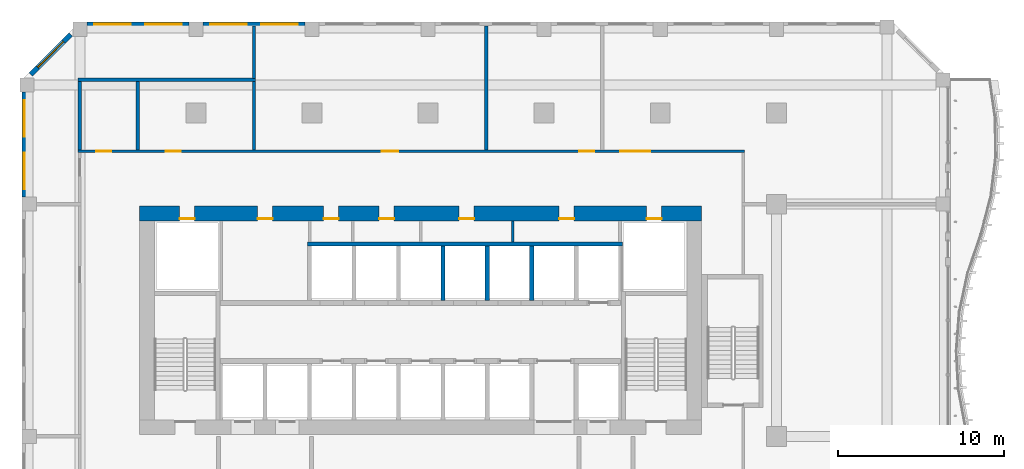
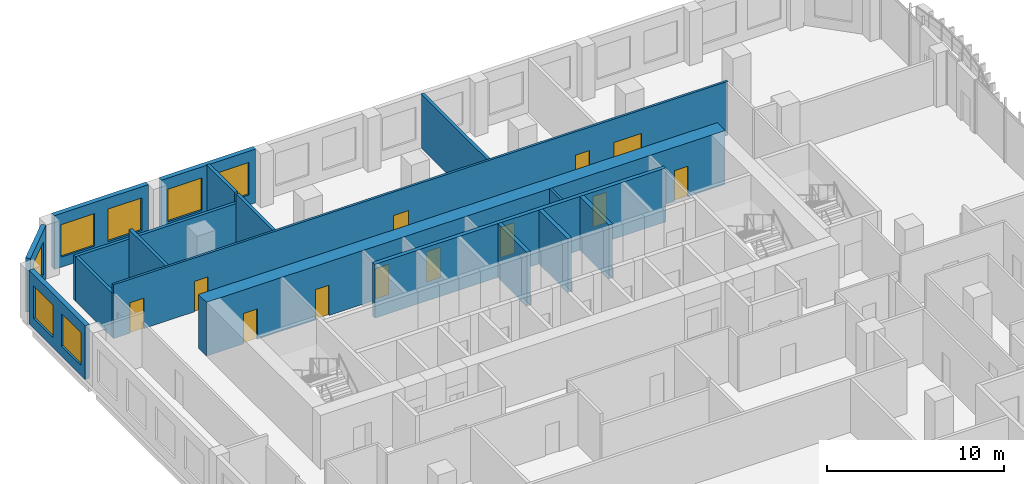
# One storey, part 16 of 27: 17 walls, 12 doors, 7 windows, 19 openings.
"""IFC4 building model written with IfcOpenShell, lengths in metres."""

from ifc_helpers import new_model, si_unit, direction, frame, frame_2d, origin, place, context, subcontext, project, spatial, rectangle, extrude, source, transform, mapped, material, layer, layer_set, type_object, element, fill, save


model = new_model("IFC4")

# Units and contexts
model_context = context("Model", 3, precision=1e-05, world=origin(), true_north=direction((0.0, 1.0)))
body_context = subcontext(model_context, "Body", "Model", "MODEL_VIEW")
ifc_project = project(units=[si_unit("LENGTHUNIT", "METRE"), si_unit("AREAUNIT", "SQUARE_METRE"), si_unit("VOLUMEUNIT", "CUBIC_METRE"), si_unit("PLANEANGLEUNIT", "RADIAN"), si_unit("MASSUNIT", "GRAM", prefix="KILO")], contexts=[model_context])

# Site, building, storey
site_placement = place(None, origin())
site = spatial("IfcSite", under=ifc_project, at=site_placement, CompositionType="ELEMENT")
building_placement = place(site_placement, origin())
building = spatial("IfcBuilding", under=site, at=building_placement, Name="Kilnfold Tower and Market Hall", CompositionType="ELEMENT")
storey_placement = place(building_placement, frame((0.0, 0.0, 116.60009765625)))
storey = spatial("IfcBuildingStorey", under=building, at=storey_placement, Name="L27", CompositionType="ELEMENT", Elevation=116.60009765625)

# Wall, openings, doors
ifc_material_1 = material(Name="Gypsum board on steel studs", Category="steel")
ifc_layer_1 = layer(ifc_material_1, 0.14990234375)
ifc_layer_set_1 = layer_set([ifc_layer_1], Name="Gypsum board on steel studs")
wall_type_1 = type_object("IfcWallType", Name="WALL CORRIDOR 150", PredefinedType="PARTITIONING", material=ifc_layer_set_1)
wall_1_placement = place(storey_placement, frame((-19.60009765625, 25.199951171875, 0.0), z_axis=(0.0, 0.0, 1.0), x_axis=(1.0, 0.0, 0.0)))
wall_1 = element("IfcWall", 1, at=wall_1_placement, inside=storey, type_object=wall_type_1, Name="Partition LY17.35", PredefinedType="PARTITIONING", context=body_context, shape_type="SweptSolid", body=[
    extrude(rectangle(XDim=40.175048828125, YDim=0.14990234375, at=frame_2d((20.08740234375, 0.0))), origin(), (0.0, 0.0, 1.0), 3.719970703125),
])
opening_1_placement = place(wall_1_placement, frame((1.10400390625, 0.0, 0.0)))
opening_1 = element("IfcOpeningElement", 2, at=opening_1_placement, cuts=wall_1, Name="Opening D2", PredefinedType="OPENING", context=body_context, shape_type="SweptSolid", body=[
    extrude(rectangle(XDim=0.89990234375, YDim=2.10009765625, at=frame_2d((0.449951171875, 1.050048828125))), frame((0.0, 0.0849609375, 0.0), z_axis=(0.0, -1.0, 0.0), x_axis=(1.0, 0.0, 0.0)), (0.0, 0.0, 1.0), 0.169921875),
])
opening_2_placement = place(wall_1_placement, frame((5.2958984375, 0.0, 0.0)))
opening_2 = element("IfcOpeningElement", 3, at=opening_2_placement, cuts=wall_1, Name="Opening D3", PredefinedType="OPENING", context=body_context, shape_type="SweptSolid", body=[
    extrude(rectangle(XDim=0.89990234375, YDim=2.10009765625, at=frame_2d((0.449951171875, 1.050048828125))), frame((0.0, 0.0849609375, 0.0), z_axis=(0.0, -1.0, 0.0), x_axis=(1.0, 0.0, 0.0)), (0.0, 0.0, 1.0), 0.169921875),
])
opening_3_placement = place(wall_1_placement, frame((18.302001953125, 0.0, 0.0)))
opening_3 = element("IfcOpeningElement", 4, at=opening_3_placement, cuts=wall_1, Name="Opening D1", PredefinedType="OPENING", context=body_context, shape_type="SweptSolid", body=[
    extrude(rectangle(XDim=1.0, YDim=2.10009765625, at=frame_2d((0.5, 1.050048828125))), frame((0.0, 0.0849609375, 0.0), z_axis=(0.0, -1.0, 0.0), x_axis=(1.0, 0.0, 0.0)), (0.0, 0.0, 1.0), 0.169921875),
])
opening_4_placement = place(wall_1_placement, frame((30.208984375, 0.0, 0.0)))
opening_4 = element("IfcOpeningElement", 5, at=opening_4_placement, cuts=wall_1, Name="Opening D2", PredefinedType="OPENING", context=body_context, shape_type="SweptSolid", body=[
    extrude(rectangle(XDim=0.89990234375, YDim=2.10009765625, at=frame_2d((0.449951171875, 1.050048828125))), frame((0.0, 0.0849609375, 0.0), z_axis=(0.0, -1.0, 0.0), x_axis=(1.0, 0.0, 0.0)), (0.0, 0.0, 1.0), 0.169921875),
])
opening_5_placement = place(wall_1_placement, frame((32.701904296875, 0.0, 0.0)))
opening_5 = element("IfcOpeningElement", 6, at=opening_5_placement, cuts=wall_1, Name="Opening D5", PredefinedType="OPENING", context=body_context, shape_type="SweptSolid", body=[
    extrude(rectangle(XDim=1.800048828125, YDim=2.10009765625, at=frame_2d((0.89990234375, 1.050048828125))), frame((0.0, 0.0849609375, 0.0), z_axis=(0.0, -1.0, 0.0), x_axis=(1.0, 0.0, 0.0)), (0.0, 0.0, 1.0), 0.169921875),
])
ifc_material_2 = material(Name="Timber veneer door leaf in steel frame", Category="steel")
door_type_1 = type_object("IfcDoorType", Name="DOOR DOUBLE 1800 X2100", OperationType="NOTDEFINED", PredefinedType="DOOR", material=ifc_material_2)
door_1_placement = place(opening_5_placement, origin())
door_1 = element("IfcDoor", 7, at=door_1_placement, inside=storey, type_object=door_type_1, Name="Door D5", OperationType="DOUBLE_DOOR_SINGLE_SWING", OverallHeight=2.10009765625, OverallWidth=1.800048828125, PredefinedType="DOOR", context=body_context, shape_type="SweptSolid", body=[
    extrude(rectangle(XDim=1.800048828125, YDim=2.10009765625, at=frame_2d((0.89990234375, 1.050048828125))), frame((0.0, 0.02490234375, 0.0), z_axis=(0.0, -1.0, 0.0), x_axis=(1.0, 0.0, 0.0)), (0.0, 0.0, 1.0), 0.050048828125),
])
fill(opening_5, door_1)
ifc_material_3 = material(Name="Timber veneer door leaf in steel frame", Category="steel")
door_type_2 = type_object("IfcDoorType", Name="DOOR ENTRY 1000 X2100", OperationType="NOTDEFINED", PredefinedType="DOOR", material=ifc_material_3)
door_2_placement = place(opening_3_placement, origin())
door_2 = element("IfcDoor", 8, at=door_2_placement, inside=storey, type_object=door_type_2, Name="Door D1", OperationType="SINGLE_SWING_RIGHT", OverallHeight=2.10009765625, OverallWidth=1.0, PredefinedType="DOOR", context=body_context, shape_type="SweptSolid", body=[
    extrude(rectangle(XDim=1.0, YDim=2.10009765625, at=frame_2d((0.5, 1.050048828125))), frame((0.0, 0.02490234375, 0.0), z_axis=(0.0, -1.0, 0.0), x_axis=(1.0, 0.0, 0.0)), (0.0, 0.0, 1.0), 0.050048828125),
])
fill(opening_3, door_2)
ifc_material_4 = material(Name="Timber veneer door leaf in steel frame", Category="steel")
door_type_3 = type_object("IfcDoorType", Name="DOOR ROOM 900 X2100", OperationType="NOTDEFINED", PredefinedType="DOOR", material=ifc_material_4)
door_3_placement = place(opening_1_placement, origin())
door_3 = element("IfcDoor", 9, at=door_3_placement, inside=storey, type_object=door_type_3, Name="Door D2", OperationType="SINGLE_SWING_LEFT", OverallHeight=2.10009765625, OverallWidth=0.89990234375, PredefinedType="DOOR", context=body_context, shape_type="SweptSolid", body=[
    extrude(rectangle(XDim=0.89990234375, YDim=2.10009765625, at=frame_2d((0.449951171875, 1.050048828125))), frame((0.0, 0.02490234375, 0.0), z_axis=(0.0, -1.0, 0.0), x_axis=(1.0, 0.0, 0.0)), (0.0, 0.0, 1.0), 0.050048828125),
])
fill(opening_1, door_3)
door_4_placement = place(opening_4_placement, origin())
door_4 = element("IfcDoor", 10, at=door_4_placement, inside=storey, type_object=door_type_3, Name="Door D2", OperationType="SINGLE_SWING_RIGHT", OverallHeight=2.10009765625, OverallWidth=0.89990234375, PredefinedType="DOOR", context=body_context, shape_type="SweptSolid", body=[
    extrude(rectangle(XDim=0.89990234375, YDim=2.10009765625, at=frame_2d((0.449951171875, 1.050048828125))), frame((0.0, 0.02490234375, 0.0), z_axis=(0.0, -1.0, 0.0), x_axis=(1.0, 0.0, 0.0)), (0.0, 0.0, 1.0), 0.050048828125),
])
fill(opening_4, door_4)
ifc_material_5 = material(Name="Timber veneer door leaf in steel frame", Category="steel")
door_type_4 = type_object("IfcDoorType", Name="DOOR WC 900 X2100", OperationType="NOTDEFINED", PredefinedType="DOOR", material=ifc_material_5)
door_5_placement = place(opening_2_placement, origin())
door_5 = element("IfcDoor", 11, at=door_5_placement, inside=storey, type_object=door_type_4, Name="Door D3", OperationType="SINGLE_SWING_LEFT", OverallHeight=2.10009765625, OverallWidth=0.89990234375, PredefinedType="DOOR", context=body_context, shape_type="SweptSolid", body=[
    extrude(rectangle(XDim=0.89990234375, YDim=2.10009765625, at=frame_2d((0.449951171875, 1.050048828125))), frame((0.0, 0.02490234375, 0.0), z_axis=(0.0, -1.0, 0.0), x_axis=(1.0, 0.0, 0.0)), (0.0, 0.0, 1.0), 0.050048828125),
])
fill(opening_2, door_5)

# Walls
ifc_material_6 = material(Name="Gypsum board on steel studs", Category="steel")
ifc_layer_2 = layer(ifc_material_6, 0.199951171875)
ifc_layer_set_2 = layer_set([ifc_layer_2], Name="Gypsum board on steel studs")
wall_type_2 = type_object("IfcWallType", Name="WALL PARTY 200", PredefinedType="PARTITIONING", material=ifc_layer_set_2)
wall_2_placement = place(storey_placement, frame((5.0, 25.27587890625, 0.0), z_axis=(0.0, 0.0, 1.0), x_axis=(0.0, 1.0, 0.0)))
element("IfcWall", 12, at=wall_2_placement, inside=storey, type_object=wall_type_2, Name="Partition LY17.69", PredefinedType="PARTITIONING", context=body_context, shape_type="SweptSolid", body=[
    extrude(rectangle(XDim=7.47412109375, YDim=0.199951171875, at=frame_2d((3.737060546875, 0.0))), origin(), (0.0, 0.0, 1.0), 3.719970703125),
])
wall_3_placement = place(storey_placement, frame((-9.0, 25.27587890625, 0.0), z_axis=(0.0, 0.0, 1.0), x_axis=(0.0, 1.0, 0.0)))
element("IfcWall", 13, at=wall_3_placement, inside=storey, type_object=wall_type_2, Name="Partition LY17.70", PredefinedType="PARTITIONING", context=body_context, shape_type="SweptSolid", body=[
    extrude(rectangle(XDim=4.134033203125, YDim=0.199951171875, at=frame_2d((2.06689453125, 0.0))), origin(), (0.0, 0.0, 1.0), 3.719970703125),
])
wall_4_placement = place(storey_placement, frame((-9.0, 29.590087890625, 0.0), z_axis=(0.0, 0.0, 1.0), x_axis=(0.0, 1.0, 0.0)))
element("IfcWall", 14, at=wall_4_placement, inside=storey, type_object=wall_type_2, Name="Partition LY17.71", PredefinedType="PARTITIONING", context=body_context, shape_type="SweptSolid", body=[
    extrude(rectangle(XDim=3.159912109375, YDim=0.199951171875, at=frame_2d((1.580078125, 0.0))), origin(), (0.0, 0.0, 1.0), 3.719970703125),
])
wall_5_placement = place(storey_placement, frame((-16.0, 29.39990234375, 0.0), z_axis=(0.0, 0.0, 1.0), x_axis=(0.0, -1.0, 0.0)))
element("IfcWall", 15, at=wall_5_placement, inside=storey, type_object=wall_type_2, Name="Partition LY17.72", PredefinedType="PARTITIONING", context=body_context, shape_type="SweptSolid", body=[
    extrude(rectangle(XDim=4.1240234375, YDim=0.199951171875, at=frame_2d((2.06201171875, 0.0))), origin(), (0.0, 0.0, 1.0), 3.719970703125),
])
wall_6_placement = place(storey_placement, frame((-19.60009765625, 29.5, 0.0), z_axis=(0.0, 0.0, 1.0), x_axis=(1.0, 0.0, 0.0)))
element("IfcWall", 16, at=wall_6_placement, inside=storey, type_object=wall_type_2, Name="Partition LY17.73", PredefinedType="PARTITIONING", context=body_context, shape_type="SweptSolid", body=[
    extrude(rectangle(XDim=10.7001953125, YDim=0.199951171875, at=frame_2d((5.35009765625, 0.0))), origin(), (0.0, 0.0, 1.0), 3.06982421875),
])
wall_7_placement = place(storey_placement, frame((-19.5, 29.39990234375, 0.0), z_axis=(0.0, 0.0, 1.0), x_axis=(0.0, -1.0, 0.0)))
element("IfcWall", 17, at=wall_7_placement, inside=storey, type_object=wall_type_2, Name="Partition LY17.74", PredefinedType="PARTITIONING", context=body_context, shape_type="SweptSolid", body=[
    extrude(rectangle(XDim=4.1240234375, YDim=0.199951171875, at=frame_2d((2.06201171875, 0.0))), origin(), (0.0, 0.0, 1.0), 3.06982421875),
])

# Wall, openings, doors
ifc_material_7 = material(Name="Concrete C70", Category="concrete")
ifc_layer_3 = layer(ifc_material_7, 0.89990234375)
ifc_layer_set_3 = layer_set([ifc_layer_3], Name="Concrete C70")
wall_type_3 = type_object("IfcWallType", Name="CORE WALL 900 C70", PredefinedType="SHEAR", material=ifc_layer_set_3)
shared_shape_1 = source(origin(), body_context, "Body", "SweptSolid", [
    extrude(rectangle(XDim=33.89990234375, YDim=0.89990234375, at=frame_2d((16.949951171875, 0.0))), origin(), (0.0, 0.0, 1.0), 3.719970703125),
])
wall_8_placement = place(storey_placement, frame((-15.89990234375, 21.449951171875, 0.0), z_axis=(0.0, 0.0, 1.0), x_axis=(1.0, 0.0, 0.0)))
wall_8 = element("IfcWall", 18, at=wall_8_placement, inside=storey, type_object=wall_type_3, Name="Core outer wall north", PredefinedType="SHEAR", context=body_context, shape_type="MappedRepresentation", body=[
    mapped(shared_shape_1, transform((0.0, 0.0, 0.0))),
])
opening_6_placement = place(wall_8_placement, frame((7.1201171875, 0.0, 0.0)))
opening_6 = element("IfcOpeningElement", 19, at=opening_6_placement, cuts=wall_8, Name="Opening KD1", PredefinedType="OPENING", context=body_context, shape_type="SweptSolid", body=[
    extrude(rectangle(XDim=0.89990234375, YDim=2.10009765625, at=frame_2d((0.449951171875, 1.050048828125))), frame((0.0, 0.4599609375, 0.0), z_axis=(0.0, -1.0, 0.0), x_axis=(1.0, 0.0, 0.0)), (0.0, 0.0, 1.0), 0.919921875),
])
opening_7_placement = place(wall_8_placement, frame((11.099853515625, 0.0, 0.0)))
opening_7 = element("IfcOpeningElement", 20, at=opening_7_placement, cuts=wall_8, Name="Opening KD1", PredefinedType="OPENING", context=body_context, shape_type="SweptSolid", body=[
    extrude(rectangle(XDim=0.89990234375, YDim=2.10009765625, at=frame_2d((0.449951171875, 1.050048828125))), frame((0.0, 0.4599609375, 0.0), z_axis=(0.0, -1.0, 0.0), x_axis=(1.0, 0.0, 0.0)), (0.0, 0.0, 1.0), 0.919921875),
])
opening_8_placement = place(wall_8_placement, frame((14.44970703125, 0.0, 0.0)))
opening_8 = element("IfcOpeningElement", 21, at=opening_8_placement, cuts=wall_8, Name="Opening KD1", PredefinedType="OPENING", context=body_context, shape_type="SweptSolid", body=[
    extrude(rectangle(XDim=0.89990234375, YDim=2.10009765625, at=frame_2d((0.449951171875, 1.050048828125))), frame((0.0, 0.4599609375, 0.0), z_axis=(0.0, -1.0, 0.0), x_axis=(1.0, 0.0, 0.0)), (0.0, 0.0, 1.0), 0.919921875),
])
opening_9_placement = place(wall_8_placement, frame((19.273681640625, 0.0, 0.0)))
opening_9 = element("IfcOpeningElement", 22, at=opening_9_placement, cuts=wall_8, Name="Opening KD1", PredefinedType="OPENING", context=body_context, shape_type="SweptSolid", body=[
    extrude(rectangle(XDim=0.89990234375, YDim=2.10009765625, at=frame_2d((0.449951171875, 1.050048828125))), frame((0.0, 0.4599609375, 0.0), z_axis=(0.0, -1.0, 0.0), x_axis=(1.0, 0.0, 0.0)), (0.0, 0.0, 1.0), 0.919921875),
])
opening_10_placement = place(wall_8_placement, frame((25.3037109375, 0.0, 0.0)))
opening_10 = element("IfcOpeningElement", 23, at=opening_10_placement, cuts=wall_8, Name="Opening KD1", PredefinedType="OPENING", context=body_context, shape_type="SweptSolid", body=[
    extrude(rectangle(XDim=0.89990234375, YDim=2.10009765625, at=frame_2d((0.449951171875, 1.050048828125))), frame((0.0, 0.4599609375, 0.0), z_axis=(0.0, -1.0, 0.0), x_axis=(1.0, 0.0, 0.0)), (0.0, 0.0, 1.0), 0.919921875),
])
opening_11_placement = place(wall_8_placement, frame((2.425048828125, 0.0, 0.0)))
opening_11 = element("IfcOpeningElement", 24, at=opening_11_placement, cuts=wall_8, Name="Opening KD1", PredefinedType="OPENING", context=body_context, shape_type="SweptSolid", body=[
    extrude(rectangle(XDim=0.89990234375, YDim=2.10009765625, at=frame_2d((0.449951171875, 1.050048828125))), frame((0.0, 0.4599609375, 0.0), z_axis=(0.0, -1.0, 0.0), x_axis=(1.0, 0.0, 0.0)), (0.0, 0.0, 1.0), 0.919921875),
])
opening_12_placement = place(wall_8_placement, frame((30.574951171875, 0.0, 0.0)))
opening_12 = element("IfcOpeningElement", 25, at=opening_12_placement, cuts=wall_8, Name="Opening KD1", PredefinedType="OPENING", context=body_context, shape_type="SweptSolid", body=[
    extrude(rectangle(XDim=0.89990234375, YDim=2.10009765625, at=frame_2d((0.449951171875, 1.050048828125))), frame((0.0, 0.4599609375, 0.0), z_axis=(0.0, -1.0, 0.0), x_axis=(1.0, 0.0, 0.0)), (0.0, 0.0, 1.0), 0.919921875),
])
ifc_material_8 = material(Name="Steel door set with fire-resisting leaf", Category="steel")
door_type_5 = type_object("IfcDoorType", Name="SERVICE DOOR 900X2100", OperationType="NOTDEFINED", PredefinedType="DOOR", material=ifc_material_8)
door_6_placement = place(opening_6_placement, origin())
door_6 = element("IfcDoor", 26, at=door_6_placement, inside=storey, type_object=door_type_5, Name="Core service door", OperationType="SINGLE_SWING_RIGHT", OverallHeight=2.10009765625, OverallWidth=0.89990234375, PredefinedType="DOOR", context=body_context, shape_type="SweptSolid", body=[
    extrude(rectangle(XDim=0.89990234375, YDim=2.10009765625, at=frame_2d((0.449951171875, 1.050048828125))), frame((0.0, -0.30517578125, 0.0), z_axis=(0.0, -1.0, 0.0), x_axis=(1.0, 0.0, 0.0)), (0.0, 0.0, 1.0), 0.050048828125),
])
fill(opening_6, door_6)
door_7_placement = place(opening_7_placement, origin())
door_7 = element("IfcDoor", 27, at=door_7_placement, inside=storey, type_object=door_type_5, Name="Core service door", OperationType="SINGLE_SWING_LEFT", OverallHeight=2.10009765625, OverallWidth=0.89990234375, PredefinedType="DOOR", context=body_context, shape_type="SweptSolid", body=[
    extrude(rectangle(XDim=0.89990234375, YDim=2.10009765625, at=frame_2d((0.449951171875, 1.050048828125))), frame((0.0, -0.30517578125, 0.0), z_axis=(0.0, -1.0, 0.0), x_axis=(1.0, 0.0, 0.0)), (0.0, 0.0, 1.0), 0.050048828125),
])
fill(opening_7, door_7)
door_8_placement = place(opening_8_placement, origin())
door_8 = element("IfcDoor", 28, at=door_8_placement, inside=storey, type_object=door_type_5, Name="Core service door", OperationType="SINGLE_SWING_RIGHT", OverallHeight=2.10009765625, OverallWidth=0.89990234375, PredefinedType="DOOR", context=body_context, shape_type="SweptSolid", body=[
    extrude(rectangle(XDim=0.89990234375, YDim=2.10009765625, at=frame_2d((0.449951171875, 1.050048828125))), frame((0.0, -0.30517578125, 0.0), z_axis=(0.0, -1.0, 0.0), x_axis=(1.0, 0.0, 0.0)), (0.0, 0.0, 1.0), 0.050048828125),
])
fill(opening_8, door_8)
door_9_placement = place(opening_9_placement, origin())
door_9 = element("IfcDoor", 29, at=door_9_placement, inside=storey, type_object=door_type_5, Name="Core service door", OperationType="SINGLE_SWING_LEFT", OverallHeight=2.10009765625, OverallWidth=0.89990234375, PredefinedType="DOOR", context=body_context, shape_type="SweptSolid", body=[
    extrude(rectangle(XDim=0.89990234375, YDim=2.10009765625, at=frame_2d((0.449951171875, 1.050048828125))), frame((0.0, -0.30517578125, 0.0), z_axis=(0.0, -1.0, 0.0), x_axis=(1.0, 0.0, 0.0)), (0.0, 0.0, 1.0), 0.050048828125),
])
fill(opening_9, door_9)
door_10_placement = place(opening_10_placement, origin())
door_10 = element("IfcDoor", 30, at=door_10_placement, inside=storey, type_object=door_type_5, Name="Core service door", OperationType="SINGLE_SWING_RIGHT", OverallHeight=2.10009765625, OverallWidth=0.89990234375, PredefinedType="DOOR", context=body_context, shape_type="SweptSolid", body=[
    extrude(rectangle(XDim=0.89990234375, YDim=2.10009765625, at=frame_2d((0.449951171875, 1.050048828125))), frame((0.0, -0.30517578125, 0.0), z_axis=(0.0, -1.0, 0.0), x_axis=(1.0, 0.0, 0.0)), (0.0, 0.0, 1.0), 0.050048828125),
])
fill(opening_10, door_10)
door_11_placement = place(opening_11_placement, origin())
door_11 = element("IfcDoor", 31, at=door_11_placement, inside=storey, type_object=door_type_5, Name="Electrical riser access door", OperationType="SINGLE_SWING_LEFT", OverallHeight=2.10009765625, OverallWidth=0.89990234375, PredefinedType="DOOR", context=body_context, shape_type="SweptSolid", body=[
    extrude(rectangle(XDim=0.89990234375, YDim=2.10009765625, at=frame_2d((0.449951171875, 1.050048828125))), frame((0.0, -0.30517578125, 0.0), z_axis=(0.0, -1.0, 0.0), x_axis=(1.0, 0.0, 0.0)), (0.0, 0.0, 1.0), 0.050048828125),
])
fill(opening_11, door_11)
door_12_placement = place(opening_12_placement, origin())
door_12 = element("IfcDoor", 32, at=door_12_placement, inside=storey, type_object=door_type_5, Name="Mechanical riser access door", OperationType="SINGLE_SWING_RIGHT", OverallHeight=2.10009765625, OverallWidth=0.89990234375, PredefinedType="DOOR", context=body_context, shape_type="SweptSolid", body=[
    extrude(rectangle(XDim=0.89990234375, YDim=2.10009765625, at=frame_2d((0.449951171875, 1.050048828125))), frame((0.0, -0.30517578125, 0.0), z_axis=(0.0, -1.0, 0.0), x_axis=(1.0, 0.0, 0.0)), (0.0, 0.0, 1.0), 0.050048828125),
])
fill(opening_12, door_12)

# Wall, opening, window
ifc_material_9 = material(Name="Precast concrete C50/60", Category="concrete")
ifc_layer_4 = layer(ifc_material_9, 0.300048828125)
ifc_layer_set_4 = layer_set([ifc_layer_4], Name="Precast concrete C50/60")
wall_type_4 = type_object("IfcWallType", Name="PRECAST WALL 300", PredefinedType="SOLIDWALL", material=ifc_layer_set_4)
shared_shape_2 = source(origin(), body_context, "Body", "SweptSolid", [
    extrude(rectangle(XDim=3.429443359375, YDim=0.300048828125, at=frame_2d((1.71484375, 0.0))), origin(), (0.0, 0.0, 1.0), 3.719970703125),
])
wall_9_placement = place(storey_placement, frame((-20.0439453125, 32.243896484375, 0.0), z_axis=(0.0, 0.0, 1.0), x_axis=(-0.707106781187, -0.707106781187, 0.0)))
wall_9 = element("IfcWall", 33, at=wall_9_placement, inside=storey, type_object=wall_type_4, Name="External wall L27 NW", PredefinedType="SOLIDWALL", context=body_context, shape_type="MappedRepresentation", body=[
    mapped(shared_shape_2, transform((0.0, 0.0, 0.0))),
])
opening_13_placement = place(wall_9_placement, frame((0.61474609375, 0.0, 0.699951171875)))
opening_13 = element("IfcOpeningElement", 34, at=opening_13_placement, cuts=wall_9, Name="Opening W1", PredefinedType="OPENING", context=body_context, shape_type="SweptSolid", body=[
    extrude(rectangle(XDim=2.199951171875, YDim=2.25, at=frame_2d((1.10009765625, 1.125))), frame((0.0, 0.16015625, 0.0), z_axis=(0.0, -1.0, 0.0), x_axis=(1.0, 0.0, 0.0)), (0.0, 0.0, 1.0), 0.320068359375),
])
ifc_material_10 = material(Name="Aluminium frame and double glazing", Category="aluminium")
window_type = type_object("IfcWindowType", Name="WINDOW W1 2200X2250", PartitioningType="SINGLE_PANEL", PredefinedType="WINDOW", material=ifc_material_10)
window_1_placement = place(opening_13_placement, origin())
window_1 = element("IfcWindow", 35, at=window_1_placement, inside=storey, type_object=window_type, Name="Window W1 L27 NW-1", OverallHeight=2.25, OverallWidth=2.199951171875, PartitioningType="SINGLE_PANEL", PredefinedType="WINDOW", context=body_context, shape_type="SweptSolid", body=[
    extrude(rectangle(XDim=2.199951171875, YDim=2.25, at=frame_2d((1.10009765625, 1.125))), frame((0.0, 0.030029296875, 0.0), z_axis=(0.0, -1.0, 0.0), x_axis=(1.0, 0.0, 0.0)), (0.0, 0.0, 1.0), 0.06005859375),
])
fill(opening_13, window_1)

# Wall, openings, windows
shared_shape_3 = source(origin(), body_context, "Body", "SweptSolid", [
    extrude(rectangle(XDim=6.14990234375, YDim=0.300048828125, at=frame_2d((3.074951171875, 0.0))), origin(), (0.0, 0.0, 1.0), 3.719970703125),
])
wall_10_placement = place(storey_placement, frame((-5.925048828125, 32.85009765625, 0.0), z_axis=(0.0, 0.0, 1.0), x_axis=(-1.0, 0.0, 0.0)))
wall_10 = element("IfcWall", 36, at=wall_10_placement, inside=storey, type_object=wall_type_4, Name="External wall L27 N", PredefinedType="SOLIDWALL", context=body_context, shape_type="MappedRepresentation", body=[
    mapped(shared_shape_3, transform((0.0, 0.0, 0.0))),
])
opening_14_placement = place(wall_10_placement, frame((0.4375, 0.0, 0.699951171875)))
opening_14 = element("IfcOpeningElement", 37, at=opening_14_placement, cuts=wall_10, Name="Opening W1", PredefinedType="OPENING", context=body_context, shape_type="SweptSolid", body=[
    extrude(rectangle(XDim=2.199951171875, YDim=2.25, at=frame_2d((1.10009765625, 1.125))), frame((0.0, 0.16015625, 0.0), z_axis=(0.0, -1.0, 0.0), x_axis=(1.0, 0.0, 0.0)), (0.0, 0.0, 1.0), 0.320068359375),
])
opening_15_placement = place(wall_10_placement, frame((3.512451171875, 0.0, 0.699951171875)))
opening_15 = element("IfcOpeningElement", 38, at=opening_15_placement, cuts=wall_10, Name="Opening W1", PredefinedType="OPENING", context=body_context, shape_type="SweptSolid", body=[
    extrude(rectangle(XDim=2.199951171875, YDim=2.25, at=frame_2d((1.10009765625, 1.125))), frame((0.0, 0.16015625, 0.0), z_axis=(0.0, -1.0, 0.0), x_axis=(1.0, 0.0, 0.0)), (0.0, 0.0, 1.0), 0.320068359375),
])
window_2_placement = place(opening_14_placement, origin())
window_2 = element("IfcWindow", 39, at=window_2_placement, inside=storey, type_object=window_type, Name="Window W1 L27 N-1", OverallHeight=2.25, OverallWidth=2.199951171875, PartitioningType="SINGLE_PANEL", PredefinedType="WINDOW", context=body_context, shape_type="SweptSolid", body=[
    extrude(rectangle(XDim=2.199951171875, YDim=2.25, at=frame_2d((1.10009765625, 1.125))), frame((0.0, 0.030029296875, 0.0), z_axis=(0.0, -1.0, 0.0), x_axis=(1.0, 0.0, 0.0)), (0.0, 0.0, 1.0), 0.06005859375),
])
fill(opening_14, window_2)
window_3_placement = place(opening_15_placement, origin())
window_3 = element("IfcWindow", 40, at=window_3_placement, inside=storey, type_object=window_type, Name="Window W1 L27 N-2", OverallHeight=2.25, OverallWidth=2.199951171875, PartitioningType="SINGLE_PANEL", PredefinedType="WINDOW", context=body_context, shape_type="SweptSolid", body=[
    extrude(rectangle(XDim=2.199951171875, YDim=2.25, at=frame_2d((1.10009765625, 1.125))), frame((0.0, 0.030029296875, 0.0), z_axis=(0.0, -1.0, 0.0), x_axis=(1.0, 0.0, 0.0)), (0.0, 0.0, 1.0), 0.06005859375),
])
fill(opening_15, window_3)

wall_11_placement = place(storey_placement, frame((-12.925048828125, 32.85009765625, 0.0), z_axis=(0.0, 0.0, 1.0), x_axis=(-1.0, 0.0, 0.0)))
wall_11 = element("IfcWall", 41, at=wall_11_placement, inside=storey, type_object=wall_type_4, Name="External wall L27 N", PredefinedType="SOLIDWALL", context=body_context, shape_type="MappedRepresentation", body=[
    mapped(shared_shape_3, transform((0.0, 0.0, 0.0))),
])
opening_16_placement = place(wall_11_placement, frame((0.4375, 0.0, 0.699951171875)))
opening_16 = element("IfcOpeningElement", 42, at=opening_16_placement, cuts=wall_11, Name="Opening W1", PredefinedType="OPENING", context=body_context, shape_type="SweptSolid", body=[
    extrude(rectangle(XDim=2.199951171875, YDim=2.25, at=frame_2d((1.10009765625, 1.125))), frame((0.0, 0.16015625, 0.0), z_axis=(0.0, -1.0, 0.0), x_axis=(1.0, 0.0, 0.0)), (0.0, 0.0, 1.0), 0.320068359375),
])
opening_17_placement = place(wall_11_placement, frame((3.512451171875, 0.0, 0.699951171875)))
opening_17 = element("IfcOpeningElement", 43, at=opening_17_placement, cuts=wall_11, Name="Opening W1", PredefinedType="OPENING", context=body_context, shape_type="SweptSolid", body=[
    extrude(rectangle(XDim=2.199951171875, YDim=2.25, at=frame_2d((1.10009765625, 1.125))), frame((0.0, 0.16015625, 0.0), z_axis=(0.0, -1.0, 0.0), x_axis=(1.0, 0.0, 0.0)), (0.0, 0.0, 1.0), 0.320068359375),
])
window_4_placement = place(opening_16_placement, origin())
window_4 = element("IfcWindow", 44, at=window_4_placement, inside=storey, type_object=window_type, Name="Window W1 L27 N-1", OverallHeight=2.25, OverallWidth=2.199951171875, PartitioningType="SINGLE_PANEL", PredefinedType="WINDOW", context=body_context, shape_type="SweptSolid", body=[
    extrude(rectangle(XDim=2.199951171875, YDim=2.25, at=frame_2d((1.10009765625, 1.125))), frame((0.0, 0.030029296875, 0.0), z_axis=(0.0, -1.0, 0.0), x_axis=(1.0, 0.0, 0.0)), (0.0, 0.0, 1.0), 0.06005859375),
])
fill(opening_16, window_4)
window_5_placement = place(opening_17_placement, origin())
window_5 = element("IfcWindow", 45, at=window_5_placement, inside=storey, type_object=window_type, Name="Window W1 L27 N-2", OverallHeight=2.25, OverallWidth=2.199951171875, PartitioningType="SINGLE_PANEL", PredefinedType="WINDOW", context=body_context, shape_type="SweptSolid", body=[
    extrude(rectangle(XDim=2.199951171875, YDim=2.25, at=frame_2d((1.10009765625, 1.125))), frame((0.0, 0.030029296875, 0.0), z_axis=(0.0, -1.0, 0.0), x_axis=(1.0, 0.0, 0.0)), (0.0, 0.0, 1.0), 0.06005859375),
])
fill(opening_17, window_5)

shared_shape_4 = source(origin(), body_context, "Body", "SweptSolid", [
    extrude(rectangle(XDim=6.331787109375, YDim=0.300048828125, at=frame_2d((3.166015625, 0.0))), origin(), (0.0, 0.0, 1.0), 3.719970703125),
])
wall_12_placement = place(storey_placement, frame((-22.85009765625, 28.7568359375, 0.0), z_axis=(0.0, 0.0, 1.0), x_axis=(0.0, -1.0, 0.0)))
wall_12 = element("IfcWall", 46, at=wall_12_placement, inside=storey, type_object=wall_type_4, Name="External wall L27 W", PredefinedType="SOLIDWALL", context=body_context, shape_type="MappedRepresentation", body=[
    mapped(shared_shape_4, transform((0.0, 0.0, 0.0))),
])
opening_18_placement = place(wall_12_placement, frame((0.48291015625, 0.0, 0.699951171875)))
opening_18 = element("IfcOpeningElement", 47, at=opening_18_placement, cuts=wall_12, Name="Opening W1", PredefinedType="OPENING", context=body_context, shape_type="SweptSolid", body=[
    extrude(rectangle(XDim=2.199951171875, YDim=2.25, at=frame_2d((1.10009765625, 1.125))), frame((0.0, 0.16015625, 0.0), z_axis=(0.0, -1.0, 0.0), x_axis=(1.0, 0.0, 0.0)), (0.0, 0.0, 1.0), 0.320068359375),
])
opening_19_placement = place(wall_12_placement, frame((3.648681640625, 0.0, 0.699951171875)))
opening_19 = element("IfcOpeningElement", 48, at=opening_19_placement, cuts=wall_12, Name="Opening W1", PredefinedType="OPENING", context=body_context, shape_type="SweptSolid", body=[
    extrude(rectangle(XDim=2.199951171875, YDim=2.25, at=frame_2d((1.10009765625, 1.125))), frame((0.0, 0.16015625, 0.0), z_axis=(0.0, -1.0, 0.0), x_axis=(1.0, 0.0, 0.0)), (0.0, 0.0, 1.0), 0.320068359375),
])
window_6_placement = place(opening_18_placement, origin())
window_6 = element("IfcWindow", 49, at=window_6_placement, inside=storey, type_object=window_type, Name="Window W1 L27 W-1", OverallHeight=2.25, OverallWidth=2.199951171875, PartitioningType="SINGLE_PANEL", PredefinedType="WINDOW", context=body_context, shape_type="SweptSolid", body=[
    extrude(rectangle(XDim=2.199951171875, YDim=2.25, at=frame_2d((1.10009765625, 1.125))), frame((0.0, 0.030029296875, 0.0), z_axis=(0.0, -1.0, 0.0), x_axis=(1.0, 0.0, 0.0)), (0.0, 0.0, 1.0), 0.06005859375),
])
fill(opening_18, window_6)
window_7_placement = place(opening_19_placement, origin())
window_7 = element("IfcWindow", 50, at=window_7_placement, inside=storey, type_object=window_type, Name="Window W1 L27 W-2", OverallHeight=2.25, OverallWidth=2.199951171875, PartitioningType="SINGLE_PANEL", PredefinedType="WINDOW", context=body_context, shape_type="SweptSolid", body=[
    extrude(rectangle(XDim=2.199951171875, YDim=2.25, at=frame_2d((1.10009765625, 1.125))), frame((0.0, 0.030029296875, 0.0), z_axis=(0.0, -1.0, 0.0), x_axis=(1.0, 0.0, 0.0)), (0.0, 0.0, 1.0), 0.06005859375),
])
fill(opening_19, window_7)

# Walls
ifc_material_11 = material(Name="Gypsum shaft wall system")
ifc_layer_5 = layer(ifc_material_11, 0.25)
ifc_layer_set_5 = layer_set([ifc_layer_5], Name="Gypsum shaft wall system")
wall_type_5 = type_object("IfcWallType", Name="SHAFT WALL 250", PredefinedType="PARTITIONING", material=ifc_layer_set_5)
shared_shape_5 = source(origin(), body_context, "Body", "SweptSolid", [
    extrude(rectangle(XDim=3.275146484375, YDim=0.25, at=frame_2d((1.6376953125, 0.0))), origin(), (0.0, 0.0, 1.0), 3.719970703125),
])
for number, where, z_axis, x_axis, name in (
    (51, (2.389892578125, 16.199951171875, 0.0), (0.0, 0.0, 1.0), (0.0, 1.0, 0.0), "Lift shaft wall"),
    (52, (5.070068359375, 16.199951171875, 0.0), (0.0, 0.0, 1.0), (0.0, 1.0, 0.0), "Lift shaft wall"),
    (53, (7.75, 16.199951171875, 0.0), (0.0, 0.0, 1.0), (0.0, 1.0, 0.0), "Lift shaft wall"),
):
    element("IfcWall", number, at=place(storey_placement, frame(where, z_axis=z_axis, x_axis=x_axis)), inside=storey, type_object=wall_type_5, Name=name, PredefinedType="PARTITIONING", context=body_context, shape_type="MappedRepresentation", body=[
        mapped(shared_shape_5, transform((0.0, 0.0, 0.0))),
    ])
ifc_material_12 = material(Name="Gypsum shaft wall system")
ifc_layer_6 = layer(ifc_material_12, 0.14990234375)
ifc_layer_set_6 = layer_set([ifc_layer_6], Name="Gypsum shaft wall system")
wall_type_6 = type_object("IfcWallType", Name="ROOM WALL 150", PredefinedType="PARTITIONING", material=ifc_layer_set_6)
shared_shape_6 = source(origin(), body_context, "Body", "SweptSolid", [
    extrude(rectangle(XDim=1.27490234375, YDim=0.14990234375, at=frame_2d((0.637451171875, 0.0))), origin(), (0.0, 0.0, 1.0), 3.719970703125),
])
wall_13_placement = place(storey_placement, frame((6.59765625, 19.72509765625, 0.0), z_axis=(0.0, 0.0, 1.0), x_axis=(0.0, 1.0, 0.0)))
element("IfcWall", 54, at=wall_13_placement, inside=storey, type_object=wall_type_6, Name="Core room wall", PredefinedType="PARTITIONING", context=body_context, shape_type="MappedRepresentation", body=[
    mapped(shared_shape_6, transform((0.0, 0.0, 0.0))),
])
shared_shape_7 = source(origin(), body_context, "Body", "SweptSolid", [
    extrude(rectangle(XDim=19.010009765625, YDim=0.25, at=frame_2d((9.5048828125, 0.0))), origin(), (0.0, 0.0, 1.0), 3.719970703125),
])
wall_14_placement = place(storey_placement, frame((-5.77490234375, 19.60009765625, 0.0), z_axis=(0.0, 0.0, 1.0), x_axis=(1.0, 0.0, 0.0)))
element("IfcWall", 55, at=wall_14_placement, inside=storey, type_object=wall_type_5, Name="Lift shaft wall", PredefinedType="PARTITIONING", context=body_context, shape_type="MappedRepresentation", body=[
    mapped(shared_shape_7, transform((0.0, 0.0, 0.0))),
])

save(model, "model.ifc")
